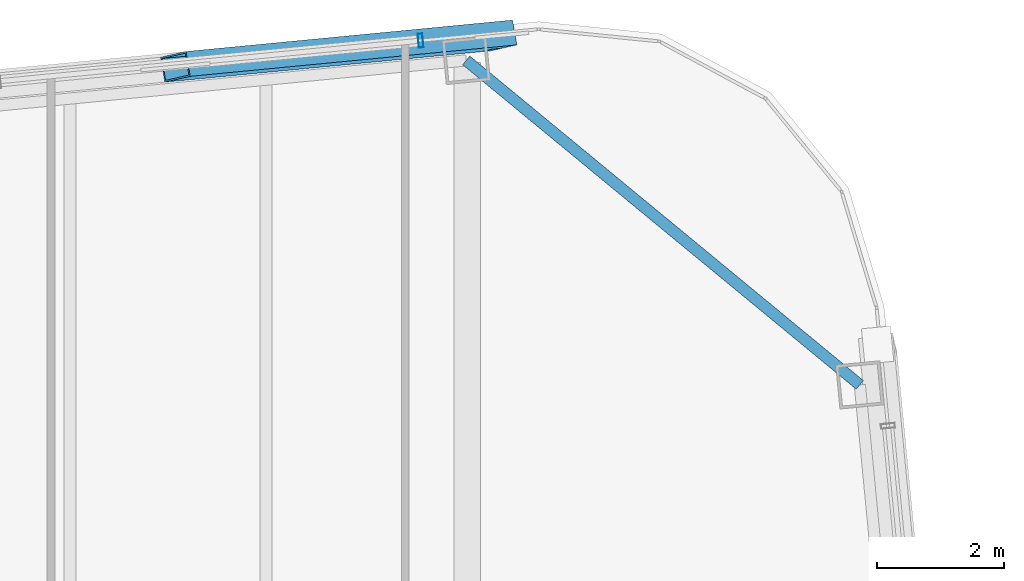
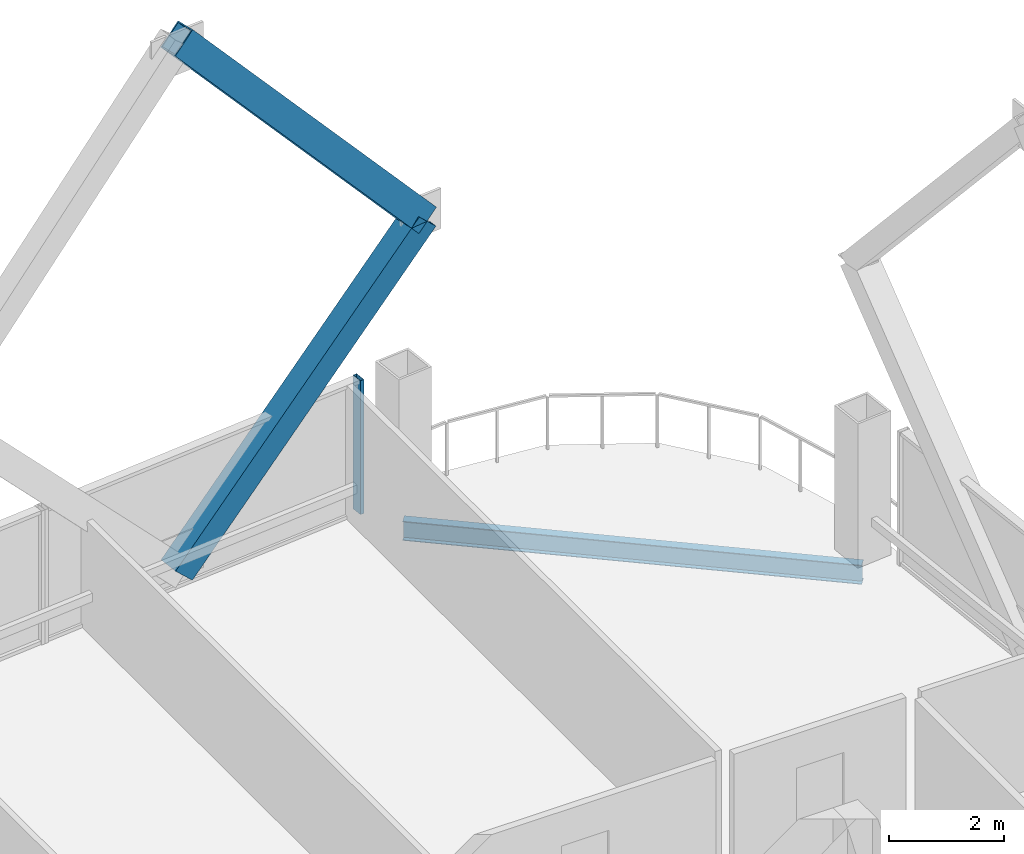
# One storey, part 27 of 34: 3 members, 1 beam, 1 element without a shape of its own.
"""IFC4 building model written with IfcOpenShell, lengths in metres."""

from ifc_helpers import new_model, si_unit, direction, frame, origin, origin_2d, place, context, subcontext, project, spatial, hollow_rectangle, i_section, extrude, material, layer, layer_set, material_profile, profile_set, type_object, element, aggregate, save


model = new_model("IFC4")

# Units and contexts
model_context = context("Model", 3, precision=1e-05, world=origin(), true_north=direction((0.0, 1.0)))
body_context = subcontext(model_context, "Body", "Model", "MODEL_VIEW")
ifc_project = project(units=[si_unit("LENGTHUNIT", "METRE"), si_unit("AREAUNIT", "SQUARE_METRE"), si_unit("VOLUMEUNIT", "CUBIC_METRE"), si_unit("PLANEANGLEUNIT", "RADIAN"), si_unit("MASSUNIT", "GRAM", prefix="KILO")], contexts=[model_context])

# Site, building, storey
site_placement = place(None, origin())
site = spatial("IfcSite", under=ifc_project, at=site_placement, CompositionType="ELEMENT")
building_placement = place(site_placement, origin())
building = spatial("IfcBuilding", under=site, at=building_placement, Name="Qhalaya Broadcast Tower", CompositionType="ELEMENT")
storey_placement = place(building_placement, frame((0.0, 0.0, 168.35009765625)))
storey = spatial("IfcBuildingStorey", under=building, at=storey_placement, Name="L49", CompositionType="ELEMENT", Elevation=168.35009765625)

# Members
ifc_material_1 = material(Name="Structural Steel ASTM A572 Grade 50", Category="steel")
ifc_material_profile_1 = material_profile(ifc_material_1, hollow_rectangle(XDim=0.39990234375, YDim=0.550048828125, WallThickness=0.02490234375, at=origin_2d()), Name="BOX 400x550x25")
ifc_profile_set_1 = profile_set([ifc_material_profile_1], Name="Structural Steel ASTM A572 Grade 50")
member_type_1 = type_object("IfcMemberType", Name="Exoskeleton Diamond Diagonal Mid-High EX3", PredefinedType="BRACE", material=ifc_profile_set_1)
member_1_placement = place(storey_placement, frame((4.76708984375, 25.427001953125, 0.35986328125), z_axis=(0.690615647814, 0.066502760768, 0.72015790616), x_axis=(-0.164116501784, 0.984196976573, 0.066498760488)))
element("IfcMember", 1, at=member_1_placement, inside=storey, type_object=member_type_1, Name="B4 Exoskeleton Diamond Brace N1-D1", PredefinedType="BRACE", context=body_context, shape_type="SweptSolid", body=[
    extrude(hollow_rectangle(XDim=0.39990234375, YDim=0.550048828125, WallThickness=0.02490234375, at=origin_2d()), origin(), (0.0, 0.0, 1.0), 7.470703125),
])
member_2_placement = place(storey_placement, frame((9.926513671875, 25.923828125, 5.739990234375), z_axis=(-0.659492058015, -0.063505717979, 0.749024198007), x_axis=(0.166870474322, -0.983931783079, 0.063501897979)))
element("IfcMember", 2, at=member_2_placement, inside=storey, type_object=member_type_1, Name="B4 Exoskeleton Diamond Brace N1-D3", PredefinedType="BRACE", context=body_context, shape_type="SweptSolid", body=[
    extrude(hollow_rectangle(XDim=0.39990234375, YDim=0.550048828125, WallThickness=0.02490234375, at=origin_2d()), origin(), (0.0, 0.0, 1.0), 7.8232421875),
])

# Curtain wall, member
ifc_material_2 = material(Name="Fired Architectural Terracotta", Category="masonry")
ifc_layer = layer(ifc_material_2, 0.219970703125, Name="Fired Architectural Terracotta")
ifc_layer_set = layer_set([ifc_layer], Name="Fired Architectural Terracotta")
curtain_wall_type = type_object("IfcCurtainWallType", Name="Block-Cap Unitised Terracotta Spandrel Wall CW-07", PredefinedType="NOTDEFINED", material=ifc_layer_set)
curtain_wall_placement = place(storey_placement, origin())
curtain_wall = element("IfcCurtainWall", 3, at=curtain_wall_placement, inside=storey, type_object=curtain_wall_type, Name="L49 Unitised Curtain Wall L49-CW-N1", PredefinedType="NOTDEFINED")
ifc_material_3 = material(Name="Anodised Aluminium 6063-T6", Category="aluminium")
ifc_material_profile_2 = material_profile(ifc_material_3, hollow_rectangle(XDim=0.074951171875, YDim=0.219970703125, WallThickness=0.00390625, at=origin_2d()), Name="ALU-MUL 75x220x4")
ifc_profile_set_2 = profile_set([ifc_material_profile_2], Name="Anodised Aluminium 6063-T6")
member_type_2 = type_object("IfcMemberType", Name="Unitised Curtain-Wall Mullion M01", PredefinedType="MULLION", material=ifc_profile_set_2)
member_3_placement = place(storey_placement, frame((8.64111328125, 25.840087890625, 0.0), z_axis=(0.0, 0.0, 1.0), x_axis=(-0.99539669829, -0.095840560477, 0.0)))
member_3 = element("IfcMember", 4, at=member_3_placement, type_object=member_type_2, Name="CW-07 mullion 1", PredefinedType="MULLION", context=body_context, shape_type="SweptSolid", body=[
    extrude(hollow_rectangle(XDim=0.074951171875, YDim=0.219970703125, WallThickness=0.00390625, at=origin_2d()), origin(), (0.0, 0.0, 1.0), 2.829833984375),
])
aggregate(curtain_wall, [member_3])

# Beam
ifc_material_4 = material(Name="Structural Steel ASTM A992 Grade 50", Category="steel")
ifc_material_profile_3 = material_profile(ifc_material_4, i_section(OverallWidth=0.177978515625, OverallDepth=0.406005859375, WebThickness=0.0078125, FlangeThickness=0.0126953125, at=origin_2d()), Name="W16X40")
ifc_profile_set_3 = profile_set([ifc_material_profile_3], Name="Structural Steel ASTM A992 Grade 50")
beam_type = type_object("IfcBeamType", Name="Upper Perimeter Spandrel Beam SP2", PredefinedType="SPANDREL", material=ifc_profile_set_3)
beam_placement = place(storey_placement, frame((15.58203125, 20.400390625, -0.423095703125), z_axis=(-0.771618906354, 0.636085107008, 0.0), x_axis=(-0.636085107008, -0.771618906354, 0.0)))
element("IfcBeam", 5, at=beam_placement, inside=storey, type_object=beam_type, Name="L49 SP2 L49-SPR-08", PredefinedType="SPANDREL", context=body_context, shape_type="SweptSolid", body=[
    extrude(i_section(OverallWidth=0.177978515625, OverallDepth=0.406005859375, WebThickness=0.0078125, FlangeThickness=0.0126953125, at=origin_2d()), origin(), (0.0, 0.0, 1.0), 8.06103515625),
])

save(model, "model.ifc")
